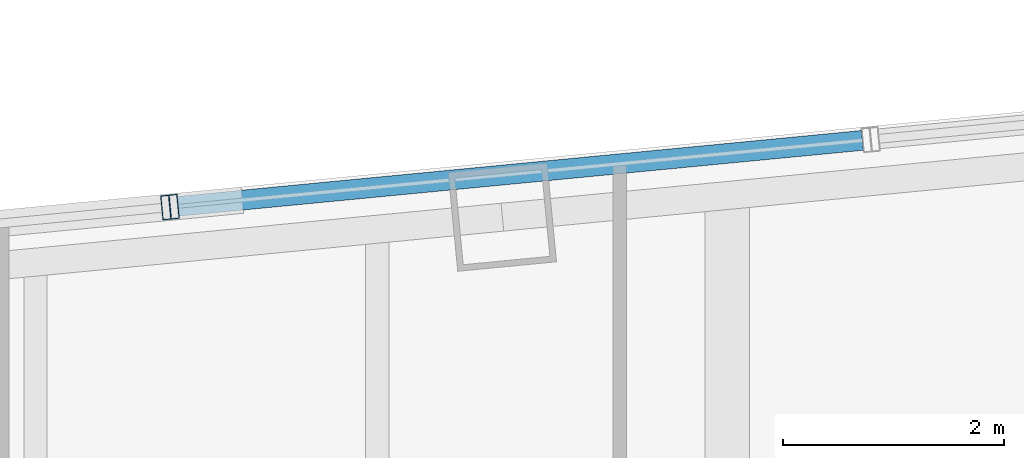
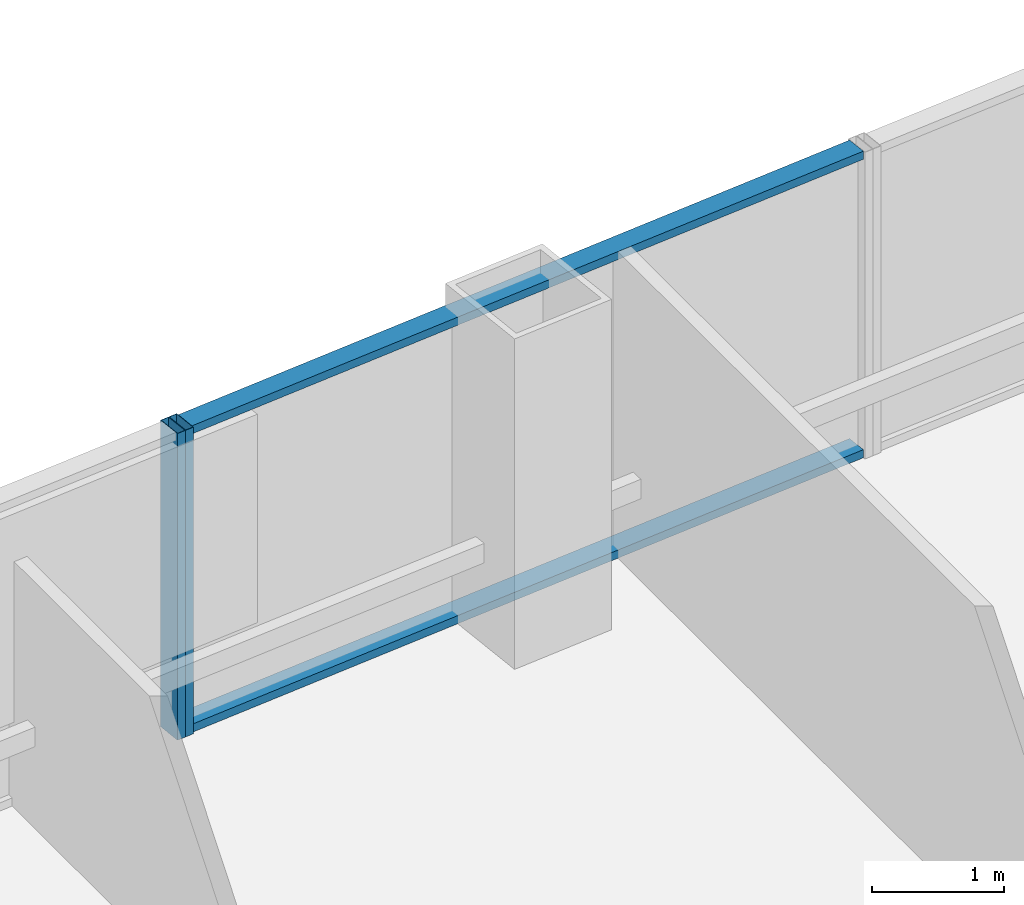
# One storey, part 24 of 34: 4 members, 2 elements without a shape of their own.
"""IFC4 building model written with IfcOpenShell, lengths in metres."""

from ifc_helpers import new_model, si_unit, direction, frame, origin, origin_2d, place, context, subcontext, project, spatial, hollow_rectangle, extrude, material, layer, layer_set, material_profile, profile_set, type_object, element, aggregate, save


model = new_model("IFC4")

# Units and contexts
model_context = context("Model", 3, precision=1e-05, world=origin(), true_north=direction((0.0, 1.0)))
body_context = subcontext(model_context, "Body", "Model", "MODEL_VIEW")
ifc_project = project(units=[si_unit("LENGTHUNIT", "METRE"), si_unit("AREAUNIT", "SQUARE_METRE"), si_unit("VOLUMEUNIT", "CUBIC_METRE"), si_unit("PLANEANGLEUNIT", "RADIAN"), si_unit("MASSUNIT", "GRAM", prefix="KILO")], contexts=[model_context])

# Site, building, storey
site_placement = place(None, origin())
site = spatial("IfcSite", under=ifc_project, at=site_placement, CompositionType="ELEMENT")
building_placement = place(site_placement, origin())
building = spatial("IfcBuilding", under=site, at=building_placement, Name="Qhalaya Broadcast Tower", CompositionType="ELEMENT")
storey_placement = place(building_placement, frame((0.0, 0.0, 78.60009765625)))
storey = spatial("IfcBuildingStorey", under=building, at=storey_placement, Name="L22", CompositionType="ELEMENT", Elevation=78.60009765625)

# Curtain wall, member
ifc_material_1 = material(Name="Solar-Control Low-E Triple Glazing", Category="glass")
ifc_layer_1 = layer(ifc_material_1, 0.219970703125, Name="Solar-Control Low-E Triple Glazing")
ifc_layer_set_1 = layer_set([ifc_layer_1], Name="Solar-Control Low-E Triple Glazing")
curtain_wall_type_1 = type_object("IfcCurtainWallType", Name="Even-Block 4-Storey Double-Module Curtain Wall CW-03", PredefinedType="NOTDEFINED", material=ifc_layer_set_1)
curtain_wall_1_placement = place(storey_placement, origin())
curtain_wall_1 = element("IfcCurtainWall", 1, at=curtain_wall_1_placement, inside=storey, type_object=curtain_wall_type_1, Name="L22 Unitised Curtain Wall L22-CW-N3", PredefinedType="NOTDEFINED")
ifc_material_2 = material(Name="Anodised Aluminium 6063-T6", Category="aluminium")
ifc_material_profile_1 = material_profile(ifc_material_2, hollow_rectangle(XDim=0.074951171875, YDim=0.219970703125, WallThickness=0.00390625, at=origin_2d()), Name="ALU-MUL 75x220x4")
ifc_profile_set_1 = profile_set([ifc_material_profile_1], Name="Anodised Aluminium 6063-T6")
member_type_1 = type_object("IfcMemberType", Name="Unitised Curtain-Wall Mullion M01", PredefinedType="MULLION", material=ifc_profile_set_1)
member_1_placement = place(storey_placement, frame((4.357666015625, 28.2119140625, 0.0), z_axis=(0.0, 0.0, 1.0), x_axis=(-0.99539731409, -0.095834164588, 0.0)))
member_1 = element("IfcMember", 2, at=member_1_placement, type_object=member_type_1, Name="CW-03 mullion 2", PredefinedType="MULLION", context=body_context, shape_type="SweptSolid", body=[
    extrude(hollow_rectangle(XDim=0.074951171875, YDim=0.219970703125, WallThickness=0.00390625, at=origin_2d()), origin(), (0.0, 0.0, 1.0), 2.829833984375),
])

ifc_material_3 = material(Name="Fired Architectural Terracotta", Category="masonry")
ifc_layer_2 = layer(ifc_material_3, 0.219970703125, Name="Fired Architectural Terracotta")
ifc_layer_set_2 = layer_set([ifc_layer_2], Name="Fired Architectural Terracotta")
curtain_wall_type_2 = type_object("IfcCurtainWallType", Name="Block-Cap Unitised Terracotta Spandrel Wall CW-07", PredefinedType="NOTDEFINED", material=ifc_layer_set_2)
curtain_wall_2_placement = place(storey_placement, origin())
curtain_wall_2 = element("IfcCurtainWall", 3, at=curtain_wall_2_placement, inside=storey, type_object=curtain_wall_type_2, Name="L22 Unitised Curtain Wall L22-CW-N4", PredefinedType="NOTDEFINED")
member_2_placement = place(storey_placement, frame((4.282958984375, 28.204833984375, 0.0), z_axis=(0.0, 0.0, 1.0), x_axis=(-0.995394756218, -0.095860728627, 0.0)))
member_2 = element("IfcMember", 4, at=member_2_placement, type_object=member_type_1, Name="CW-07 mullion 1", PredefinedType="MULLION", context=body_context, shape_type="SweptSolid", body=[
    extrude(hollow_rectangle(XDim=0.074951171875, YDim=0.219970703125, WallThickness=0.00390625, at=origin_2d()), origin(), (0.0, 0.0, 1.0), 2.829833984375),
])
aggregate(curtain_wall_2, [member_2])

# Member
ifc_material_profile_2 = material_profile(ifc_material_2, hollow_rectangle(XDim=0.074951171875, YDim=0.179931640625, WallThickness=0.00390625, at=origin_2d()), Name="ALU-TRN 75x180x4")
ifc_profile_set_2 = profile_set([ifc_material_profile_2], Name="Anodised Aluminium 6063-T6")
member_type_2 = type_object("IfcMemberType", Name="Unitised Curtain-Wall Transom T01", PredefinedType="USERDEFINED", material=ifc_profile_set_2)
member_3_placement = place(storey_placement, frame((10.601318359375, 28.813232421875, 0.037353515625), z_axis=(-0.995395316305, -0.095854912644, 0.0), x_axis=(0.0, 0.0, 1.0)))
member_3 = element("IfcMember", 5, at=member_3_placement, type_object=member_type_2, Name="CW-03 transom 1.1", ObjectType="TRANSOM", PredefinedType="USERDEFINED", context=body_context, shape_type="SweptSolid", body=[
    extrude(hollow_rectangle(XDim=0.074951171875, YDim=0.179931640625, WallThickness=0.00390625, at=origin_2d()), origin(), (0.0, 0.0, 1.0), 6.235107421875),
])

member_4_placement = place(storey_placement, frame((10.601318359375, 28.813232421875, 2.79248046875), z_axis=(-0.995395316305, -0.095854912644, 0.0), x_axis=(0.0, 0.0, 1.0)))
member_4 = element("IfcMember", 6, at=member_4_placement, type_object=member_type_2, Name="CW-03 transom 1.2", ObjectType="TRANSOM", PredefinedType="USERDEFINED", context=body_context, shape_type="SweptSolid", body=[
    extrude(hollow_rectangle(XDim=0.074951171875, YDim=0.179931640625, WallThickness=0.00390625, at=origin_2d()), origin(), (0.0, 0.0, 1.0), 6.235107421875),
])

aggregate(curtain_wall_1, [member_1, member_3, member_4])

save(model, "model.ifc")
